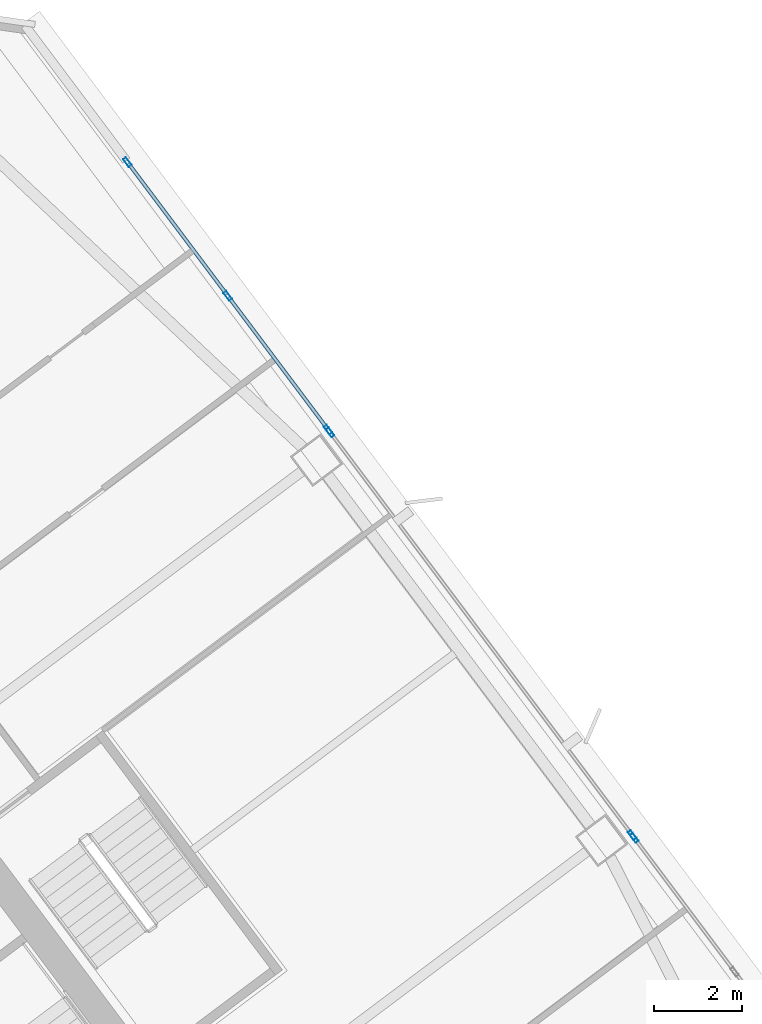
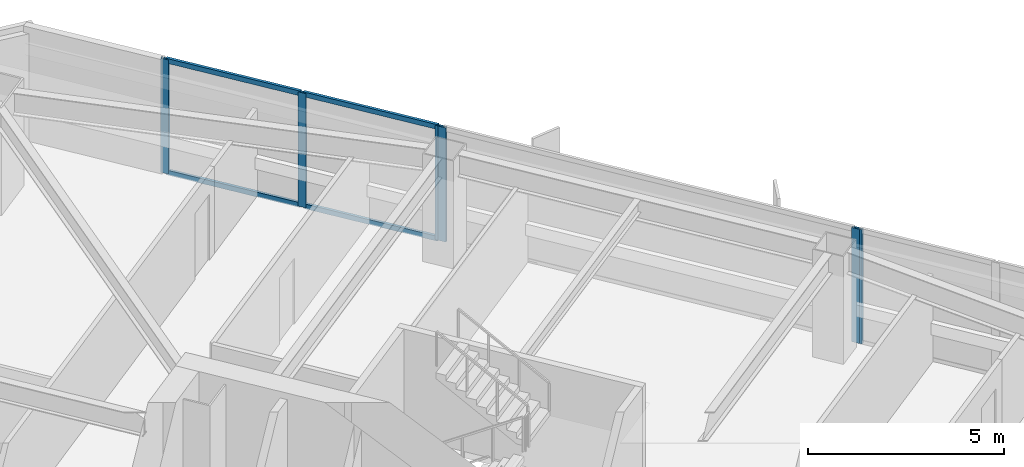
# One storey, part 33 of 49: 10 members, 3 elements without a shape of their own.
"""IFC4 building model written with IfcOpenShell, lengths in metres."""

from ifc_helpers import new_model, si_unit, direction, frame, origin, origin_2d, place, context, subcontext, project, spatial, hollow_rectangle, extrude, material, material_profile, profile_set, type_object, element, aggregate, save


model = new_model("IFC4")

# Units and contexts
model_context = context("Model", 3, precision=1e-05, world=origin(), true_north=direction((0.0, 1.0)))
body_context = subcontext(model_context, "Body", "Model", "MODEL_VIEW")
ifc_project = project(units=[si_unit("LENGTHUNIT", "METRE"), si_unit("AREAUNIT", "SQUARE_METRE"), si_unit("VOLUMEUNIT", "CUBIC_METRE"), si_unit("PLANEANGLEUNIT", "RADIAN"), si_unit("MASSUNIT", "GRAM", prefix="KILO")], contexts=[model_context])

# Site, building, storey
site_placement = place(None, origin())
site = spatial("IfcSite", under=ifc_project, at=site_placement, CompositionType="ELEMENT")
building_placement = place(site_placement, origin())
building = spatial("IfcBuilding", under=site, at=building_placement, Name="Tashvorn Skyway Center", CompositionType="ELEMENT")
storey_placement = place(building_placement, frame((0.0, 0.0, 70.75)))
storey = spatial("IfcBuildingStorey", under=building, at=storey_placement, Name="L18", CompositionType="ELEMENT", Elevation=70.75)

# Curtain wall, members
ifc_material = material(Name="Thermally broken bronze-anodized aluminium 6063-T6", Category="aluminium")
curtain_wall_type = type_object("IfcCurtainWallType", Name="CW-CW-Z2", PredefinedType="NOTDEFINED", material=ifc_material)
curtain_wall_1_placement = place(storey_placement, origin())
curtain_wall_1 = element("IfcCurtainWall", 1, at=curtain_wall_1_placement, inside=storey, type_object=curtain_wall_type, Name="Tower 2 L18 East Unitised Curtain Wall Glazing Group 1", PredefinedType="NOTDEFINED")
ifc_material_profile_1 = material_profile(ifc_material, hollow_rectangle(XDim=0.080078125, YDim=0.219970703125, WallThickness=0.0048828125, at=origin_2d()), Name="ALU-MULL-80x220")
ifc_profile_set_1 = profile_set([ifc_material_profile_1], Name="Thermally broken bronze-anodized aluminium 6063-T6")
member_type_1 = type_object("IfcMemberType", Name="CWM-CW-Z2", PredefinedType="MULLION", material=ifc_profile_set_1)
member_1_placement = place(storey_placement, frame((121.864013671875, 54.64794921875, 0.0), z_axis=(0.0, 0.0, 1.0), x_axis=(0.799999999998, 0.600000000002, 0.0)))
member_1 = element("IfcMember", 2, at=member_1_placement, type_object=member_type_1, Name="CW-Z2 mullion 1", PredefinedType="MULLION", context=body_context, shape_type="SweptSolid", body=[
    extrude(hollow_rectangle(XDim=0.080078125, YDim=0.219970703125, WallThickness=0.0048828125, at=origin_2d()), origin(), (0.0, 0.0, 1.0), 3.550048828125),
])
member_2_placement = place(storey_placement, frame((124.14404296875, 51.60791015625, 0.0), z_axis=(0.0, 0.0, 1.0), x_axis=(0.799999999998, 0.600000000002, 0.0)))
member_2 = element("IfcMember", 3, at=member_2_placement, type_object=member_type_1, Name="CW-Z2 mullion 2", PredefinedType="MULLION", context=body_context, shape_type="SweptSolid", body=[
    extrude(hollow_rectangle(XDim=0.080078125, YDim=0.219970703125, WallThickness=0.0048828125, at=origin_2d()), origin(), (0.0, 0.0, 1.0), 3.550048828125),
])
member_3_placement = place(storey_placement, frame((126.424072265625, 48.568115234375, 0.0), z_axis=(0.0, 0.0, 1.0), x_axis=(0.799999999998, 0.600000000002, 0.0)))
member_3 = element("IfcMember", 4, at=member_3_placement, type_object=member_type_1, Name="CW-Z2 mullion 3", PredefinedType="MULLION", context=body_context, shape_type="SweptSolid", body=[
    extrude(hollow_rectangle(XDim=0.080078125, YDim=0.219970703125, WallThickness=0.0048828125, at=origin_2d()), origin(), (0.0, 0.0, 1.0), 3.550048828125),
])

curtain_wall_2_placement = place(storey_placement, origin())
curtain_wall_2 = element("IfcCurtainWall", 5, at=curtain_wall_2_placement, inside=storey, type_object=curtain_wall_type, Name="Tower 2 L18 East Unitised Curtain Wall Glazing Group 2", PredefinedType="NOTDEFINED")
member_4_placement = place(storey_placement, frame((126.471923828125, 48.50390625, 0.0), z_axis=(0.0, 0.0, 1.0), x_axis=(0.799999999998, 0.600000000002, 0.0)))
member_4 = element("IfcMember", 6, at=member_4_placement, type_object=member_type_1, Name="CW-Z2 mullion 1", PredefinedType="MULLION", context=body_context, shape_type="SweptSolid", body=[
    extrude(hollow_rectangle(XDim=0.080078125, YDim=0.219970703125, WallThickness=0.0048828125, at=origin_2d()), origin(), (0.0, 0.0, 1.0), 3.550048828125),
])
member_5_placement = place(storey_placement, frame((133.3359375, 39.35205078125, 0.0), z_axis=(0.0, 0.0, 1.0), x_axis=(0.799999999998, 0.600000000002, 0.0)))
member_5 = element("IfcMember", 7, at=member_5_placement, type_object=member_type_1, Name="CW-Z2 mullion 2", PredefinedType="MULLION", context=body_context, shape_type="SweptSolid", body=[
    extrude(hollow_rectangle(XDim=0.080078125, YDim=0.219970703125, WallThickness=0.0048828125, at=origin_2d()), origin(), (0.0, 0.0, 1.0), 3.550048828125),
])
aggregate(curtain_wall_2, [member_4, member_5])

# Curtain wall, member
curtain_wall_3_placement = place(storey_placement, origin())
curtain_wall_3 = element("IfcCurtainWall", 8, at=curtain_wall_3_placement, inside=storey, type_object=curtain_wall_type, Name="Tower 2 L18 East Unitised Curtain Wall Glazing Group 3", PredefinedType="NOTDEFINED")
member_6_placement = place(storey_placement, frame((133.384033203125, 39.2880859375, 0.0), z_axis=(0.0, 0.0, 1.0), x_axis=(0.799999999998, 0.600000000002, 0.0)))
member_6 = element("IfcMember", 9, at=member_6_placement, type_object=member_type_1, Name="CW-Z2 mullion 1", PredefinedType="MULLION", context=body_context, shape_type="SweptSolid", body=[
    extrude(hollow_rectangle(XDim=0.080078125, YDim=0.219970703125, WallThickness=0.0048828125, at=origin_2d()), origin(), (0.0, 0.0, 1.0), 3.550048828125),
])
aggregate(curtain_wall_3, [member_6])

# Member
ifc_material_profile_2 = material_profile(ifc_material, hollow_rectangle(XDim=0.080078125, YDim=0.14990234375, WallThickness=0.00439453125, at=origin_2d()), Name="ALU-TRAN-80x150")
ifc_profile_set_2 = profile_set([ifc_material_profile_2], Name="Thermally broken bronze-anodized aluminium 6063-T6")
member_type_2 = type_object("IfcMemberType", Name="CWT-CW-Z2", PredefinedType="USERDEFINED", material=ifc_profile_set_2)
member_7_placement = place(storey_placement, frame((121.887939453125, 54.615966796875, 0.0400390625), z_axis=(0.6000210002, -0.799984249419, 0.0), x_axis=(0.799984249419, 0.6000210002, 0.0)))
member_7 = element("IfcMember", 10, at=member_7_placement, type_object=member_type_2, Name="CW-Z2 transom 1.1", ObjectType="TRANSOM", PredefinedType="USERDEFINED", context=body_context, shape_type="SweptSolid", body=[
    extrude(hollow_rectangle(XDim=0.080078125, YDim=0.14990234375, WallThickness=0.00439453125, at=origin_2d()), origin(), (0.0, 0.0, 1.0), 3.72021484375),
])

member_8_placement = place(storey_placement, frame((121.887939453125, 54.615966796875, 3.510009765625), z_axis=(0.6000210002, -0.799984249419, 0.0), x_axis=(0.799984249419, 0.6000210002, 0.0)))
member_8 = element("IfcMember", 11, at=member_8_placement, type_object=member_type_2, Name="CW-Z2 transom 1.2", ObjectType="TRANSOM", PredefinedType="USERDEFINED", context=body_context, shape_type="SweptSolid", body=[
    extrude(hollow_rectangle(XDim=0.080078125, YDim=0.14990234375, WallThickness=0.00439453125, at=origin_2d()), origin(), (0.0, 0.0, 1.0), 3.72021484375),
])

member_9_placement = place(storey_placement, frame((124.16796875, 51.575927734375, 0.0400390625), z_axis=(0.600010501117, -0.799992124055, 0.0), x_axis=(0.799992124055, 0.600010501117, 0.0)))
member_9 = element("IfcMember", 12, at=member_9_placement, type_object=member_type_2, Name="CW-Z2 transom 2.1", ObjectType="TRANSOM", PredefinedType="USERDEFINED", context=body_context, shape_type="SweptSolid", body=[
    extrude(hollow_rectangle(XDim=0.080078125, YDim=0.14990234375, WallThickness=0.00439453125, at=origin_2d()), origin(), (0.0, 0.0, 1.0), 3.7197265625),
])

member_10_placement = place(storey_placement, frame((124.16796875, 51.575927734375, 3.510009765625), z_axis=(0.600010501117, -0.799992124055, 0.0), x_axis=(0.799992124055, 0.600010501117, 0.0)))
member_10 = element("IfcMember", 13, at=member_10_placement, type_object=member_type_2, Name="CW-Z2 transom 2.2", ObjectType="TRANSOM", PredefinedType="USERDEFINED", context=body_context, shape_type="SweptSolid", body=[
    extrude(hollow_rectangle(XDim=0.080078125, YDim=0.14990234375, WallThickness=0.00439453125, at=origin_2d()), origin(), (0.0, 0.0, 1.0), 3.7197265625),
])

aggregate(curtain_wall_1, [member_1, member_2, member_3, member_7, member_8, member_9, member_10])

save(model, "model.ifc")
